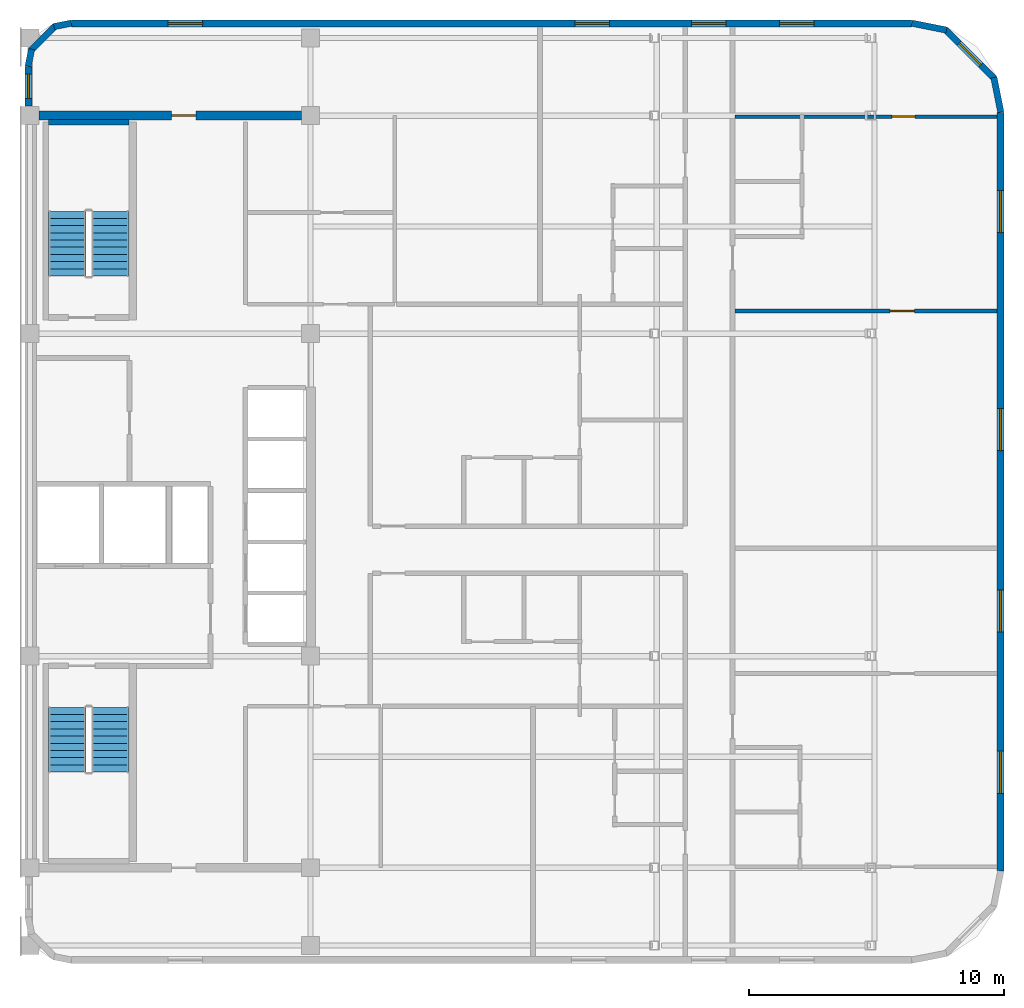
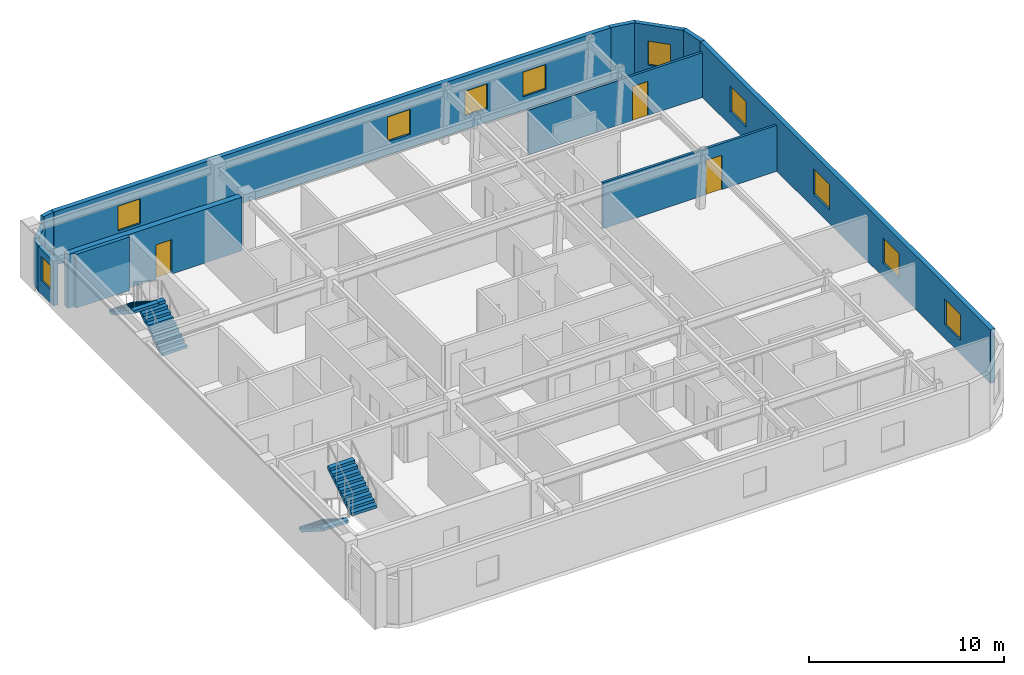
# One storey, part 5 of 6: 13 walls, 10 windows, 4 stair flights, 3 doors, 13 openings, 2 elements without a shape of their own.
"""IFC4 building model written with IfcOpenShell, lengths in metres."""

from ifc_helpers import new_model, si_unit, direction, frame, frame_2d, origin, place, context, subcontext, project, spatial, polyline, rectangle, outline, extrude, material, layer, layer_set, type_object, element, fill, aggregate, save


model = new_model("IFC4")

# Units and contexts
model_context = context("Model", 3, precision=1e-05, world=origin(), true_north=direction((0.0, 1.0)))
body_context = subcontext(model_context, "Body", "Model", "MODEL_VIEW")
ifc_project = project(units=[si_unit("LENGTHUNIT", "METRE"), si_unit("AREAUNIT", "SQUARE_METRE"), si_unit("VOLUMEUNIT", "CUBIC_METRE"), si_unit("PLANEANGLEUNIT", "RADIAN"), si_unit("MASSUNIT", "GRAM", prefix="KILO")], contexts=[model_context])

# Site, building, storey
site_placement = place(None, origin())
site = spatial("IfcSite", under=ifc_project, at=site_placement, CompositionType="ELEMENT")
building_placement = place(site_placement, origin())
building = spatial("IfcBuilding", under=site, at=building_placement, Name="Ochreholt Gables", CompositionType="ELEMENT")
storey_placement = place(building_placement, frame((0.0, 0.0, 249.60009765625)))
storey = spatial("IfcBuildingStorey", under=building, at=storey_placement, Name="L65", CompositionType="ELEMENT", Elevation=249.60009765625)

# Wall, opening, door
ifc_material_1 = material(Name="Concrete 50 MPa", Category="concrete")
ifc_layer_1 = layer(ifc_material_1, 0.35009765625, Name="Concrete 50 MPa")
ifc_layer_set_1 = layer_set([ifc_layer_1], Name="Concrete 50 MPa")
wall_type_1 = type_object("IfcWallType", Name="WALL-CSW-350", PredefinedType="SHEAR", material=ifc_layer_set_1)
wall_1_placement = place(storey_placement, frame((24.550048828125, 38.75, 0.0), z_axis=(0.0, 0.0, 1.0), x_axis=(1.0, 0.0, 0.0)))
wall_1 = element("IfcWall", 1, at=wall_1_placement, inside=storey, type_object=wall_type_1, Name="L65 Core North Shear Wall", PredefinedType="SHEAR", context=body_context, shape_type="SweptSolid", body=[
    extrude(rectangle(XDim=10.300048828125, YDim=0.35009765625, at=frame_2d((5.14990234375, 0.0))), origin(), (0.0, 0.0, 1.0), 3.35986328125),
])
opening_1_placement = place(wall_1_placement, frame((5.199951171875, 0.0, 0.0)))
opening_1 = element("IfcOpeningElement", 2, at=opening_1_placement, cuts=wall_1, Name="Opening D-FL2", PredefinedType="OPENING", context=body_context, shape_type="SweptSolid", body=[
    extrude(rectangle(XDim=0.949951171875, YDim=2.14990234375, at=frame_2d((0.47509765625, 1.074951171875))), frame((0.0, 0.18505859375, 0.0), z_axis=(0.0, -1.0, 0.0), x_axis=(1.0, 0.0, 0.0)), (0.0, 0.0, 1.0), 0.3701171875),
])
ifc_material_2 = material(Name="Hollow Metal Steel", Category="steel")
door_type_1 = type_object("IfcDoorType", Name="DR-INT-FLB950", OperationType="NOTDEFINED", PredefinedType="DOOR", material=ifc_material_2)
door_1_placement = place(opening_1_placement, origin())
door_1 = element("IfcDoor", 3, at=door_1_placement, inside=storey, type_object=door_type_1, Name="L65 Door D-C3NSR-L65", OperationType="SINGLE_SWING_RIGHT", OverallHeight=2.14990234375, OverallWidth=0.949951171875, PredefinedType="DOOR", context=body_context, shape_type="SweptSolid", body=[
    extrude(rectangle(XDim=0.949951171875, YDim=2.14990234375, at=frame_2d((0.47509765625, 1.074951171875))), frame((0.0, 0.02490234375, 0.0), z_axis=(0.0, -1.0, 0.0), x_axis=(1.0, 0.0, 0.0)), (0.0, 0.0, 1.0), 0.050048828125),
])
fill(opening_1, door_1)

# Wall, openings, windows
ifc_material_3 = material(Name="Precast concrete 40 MPa", Category="concrete")
ifc_layer_2 = layer(ifc_material_3, 0.27001953125, Name="Precast concrete 40 MPa")
ifc_layer_set_2 = layer_set([ifc_layer_2], Name="Precast concrete 40 MPa")
wall_type_2 = type_object("IfcWallType", Name="WALL-EXT-270", PredefinedType="SOLIDWALL", material=ifc_layer_set_2)
wall_2_placement = place(storey_placement, frame((62.264892578125, 9.1201171875, 0.0), z_axis=(0.0, 0.0, 1.0), x_axis=(0.0, 1.0, 0.0)))
wall_2 = element("IfcWall", 4, at=wall_2_placement, inside=storey, type_object=wall_type_2, Name="L65 East Exterior Wall", PredefinedType="SOLIDWALL", context=body_context, shape_type="SweptSolid", body=[
    extrude(rectangle(XDim=29.759765625, YDim=0.27001953125, at=frame_2d((14.8798828125, 0.0))), origin(), (0.0, 0.0, 1.0), 3.35986328125),
])
opening_2_placement = place(wall_2_placement, frame((3.04931640625, 0.0, 0.85009765625)))
opening_2 = element("IfcOpeningElement", 5, at=opening_2_placement, cuts=wall_2, Name="Opening WN-7", PredefinedType="OPENING", context=body_context, shape_type="SweptSolid", body=[
    extrude(rectangle(XDim=1.64990234375, YDim=1.60009765625, at=frame_2d((0.824951171875, 0.800048828125))), frame((0.0, 0.14501953125, 0.0), z_axis=(0.0, -1.0, 0.0), x_axis=(1.0, 0.0, 0.0)), (0.0, 0.0, 1.0), 0.2900390625),
])
opening_3_placement = place(wall_2_placement, frame((9.37939453125, 0.0, 0.85009765625)))
opening_3 = element("IfcOpeningElement", 6, at=opening_3_placement, cuts=wall_2, Name="Opening WN-7", PredefinedType="OPENING", context=body_context, shape_type="SweptSolid", body=[
    extrude(rectangle(XDim=1.64990234375, YDim=1.60009765625, at=frame_2d((0.824951171875, 0.800048828125))), frame((0.0, 0.14501953125, 0.0), z_axis=(0.0, -1.0, 0.0), x_axis=(1.0, 0.0, 0.0)), (0.0, 0.0, 1.0), 0.2900390625),
])
opening_4_placement = place(wall_2_placement, frame((16.489990234375, 0.0, 0.85009765625)))
opening_4 = element("IfcOpeningElement", 7, at=opening_4_placement, cuts=wall_2, Name="Opening WN-7", PredefinedType="OPENING", context=body_context, shape_type="SweptSolid", body=[
    extrude(rectangle(XDim=1.64990234375, YDim=1.60009765625, at=frame_2d((0.824951171875, 0.800048828125))), frame((0.0, 0.14501953125, 0.0), z_axis=(0.0, -1.0, 0.0), x_axis=(1.0, 0.0, 0.0)), (0.0, 0.0, 1.0), 0.2900390625),
])
opening_5_placement = place(wall_2_placement, frame((25.0400390625, 0.0, 0.85009765625)))
opening_5 = element("IfcOpeningElement", 8, at=opening_5_placement, cuts=wall_2, Name="Opening WN-7", PredefinedType="OPENING", context=body_context, shape_type="SweptSolid", body=[
    extrude(rectangle(XDim=1.64990234375, YDim=1.60009765625, at=frame_2d((0.824951171875, 0.800048828125))), frame((0.0, 0.14501953125, 0.0), z_axis=(0.0, -1.0, 0.0), x_axis=(1.0, 0.0, 0.0)), (0.0, 0.0, 1.0), 0.2900390625),
])
ifc_material_4 = material(Name="Triple-Glazed Thermally Broken Aluminium Window", Category="aluminium")
window_type_1 = type_object("IfcWindowType", Name="WIN-RES-1650", PartitioningType="SINGLE_PANEL", PredefinedType="WINDOW", material=ifc_material_4)
window_1_placement = place(opening_2_placement, origin())
window_1 = element("IfcWindow", 9, at=window_1_placement, inside=storey, type_object=window_type_1, Name="L65 Window W-EXT-E-L65-1", OverallHeight=1.60009765625, OverallWidth=1.64990234375, PartitioningType="SINGLE_PANEL", PredefinedType="WINDOW", context=body_context, shape_type="SweptSolid", body=[
    extrude(rectangle(XDim=1.64990234375, YDim=1.60009765625, at=frame_2d((0.824951171875, 0.800048828125))), frame((0.0, 0.030029296875, 0.0), z_axis=(0.0, -1.0, 0.0), x_axis=(1.0, 0.0, 0.0)), (0.0, 0.0, 1.0), 0.06005859375),
])
fill(opening_2, window_1)
window_2_placement = place(opening_3_placement, origin())
window_2 = element("IfcWindow", 10, at=window_2_placement, inside=storey, type_object=window_type_1, Name="L65 Window W-EXT-E-L65-2", OverallHeight=1.60009765625, OverallWidth=1.64990234375, PartitioningType="SINGLE_PANEL", PredefinedType="WINDOW", context=body_context, shape_type="SweptSolid", body=[
    extrude(rectangle(XDim=1.64990234375, YDim=1.60009765625, at=frame_2d((0.824951171875, 0.800048828125))), frame((0.0, 0.030029296875, 0.0), z_axis=(0.0, -1.0, 0.0), x_axis=(1.0, 0.0, 0.0)), (0.0, 0.0, 1.0), 0.06005859375),
])
fill(opening_3, window_2)
window_3_placement = place(opening_4_placement, origin())
window_3 = element("IfcWindow", 11, at=window_3_placement, inside=storey, type_object=window_type_1, Name="L65 Window W-EXT-E-L65-3", OverallHeight=1.60009765625, OverallWidth=1.64990234375, PartitioningType="SINGLE_PANEL", PredefinedType="WINDOW", context=body_context, shape_type="SweptSolid", body=[
    extrude(rectangle(XDim=1.64990234375, YDim=1.60009765625, at=frame_2d((0.824951171875, 0.800048828125))), frame((0.0, 0.030029296875, 0.0), z_axis=(0.0, -1.0, 0.0), x_axis=(1.0, 0.0, 0.0)), (0.0, 0.0, 1.0), 0.06005859375),
])
fill(opening_4, window_3)
window_4_placement = place(opening_5_placement, origin())
window_4 = element("IfcWindow", 12, at=window_4_placement, inside=storey, type_object=window_type_1, Name="L65 Window W-EXT-E-L65-4", OverallHeight=1.60009765625, OverallWidth=1.64990234375, PartitioningType="SINGLE_PANEL", PredefinedType="WINDOW", context=body_context, shape_type="SweptSolid", body=[
    extrude(rectangle(XDim=1.64990234375, YDim=1.60009765625, at=frame_2d((0.824951171875, 0.800048828125))), frame((0.0, 0.030029296875, 0.0), z_axis=(0.0, -1.0, 0.0), x_axis=(1.0, 0.0, 0.0)), (0.0, 0.0, 1.0), 0.06005859375),
])
fill(opening_5, window_4)

wall_3_placement = place(storey_placement, frame((58.780029296875, 42.364990234375, 0.0), z_axis=(0.0, 0.0, 1.0), x_axis=(-1.0, 0.0, 0.0)))
wall_3 = element("IfcWall", 13, at=wall_3_placement, inside=storey, type_object=wall_type_2, Name="L65 North Exterior Wall", PredefinedType="SOLIDWALL", context=body_context, shape_type="SweptSolid", body=[
    extrude(rectangle(XDim=32.9599609375, YDim=0.27001953125, at=frame_2d((16.47998046875, 0.0))), origin(), (0.0, 0.0, 1.0), 3.35986328125),
])
opening_6_placement = place(wall_3_placement, frame((27.81494140625, 0.0, 0.85009765625)))
opening_6 = element("IfcOpeningElement", 14, at=opening_6_placement, cuts=wall_3, Name="Opening WN-8", PredefinedType="OPENING", context=body_context, shape_type="SweptSolid", body=[
    extrude(rectangle(XDim=1.35009765625, YDim=1.550048828125, at=frame_2d((0.675048828125, 0.77490234375))), frame((0.0, 0.14501953125, 0.0), z_axis=(0.0, -1.0, 0.0), x_axis=(1.0, 0.0, 0.0)), (0.0, 0.0, 1.0), 0.2900390625),
])
opening_7_placement = place(wall_3_placement, frame((11.857421875, 0.0, 0.85009765625)))
opening_7 = element("IfcOpeningElement", 15, at=opening_7_placement, cuts=wall_3, Name="Opening WN-8", PredefinedType="OPENING", context=body_context, shape_type="SweptSolid", body=[
    extrude(rectangle(XDim=1.35009765625, YDim=1.550048828125, at=frame_2d((0.675048828125, 0.77490234375))), frame((0.0, 0.14501953125, 0.0), z_axis=(0.0, -1.0, 0.0), x_axis=(1.0, 0.0, 0.0)), (0.0, 0.0, 1.0), 0.2900390625),
])
opening_8_placement = place(wall_3_placement, frame((7.280029296875, 0.0, 0.85009765625)))
opening_8 = element("IfcOpeningElement", 16, at=opening_8_placement, cuts=wall_3, Name="Opening WN-8", PredefinedType="OPENING", context=body_context, shape_type="SweptSolid", body=[
    extrude(rectangle(XDim=1.35009765625, YDim=1.550048828125, at=frame_2d((0.675048828125, 0.77490234375))), frame((0.0, 0.14501953125, 0.0), z_axis=(0.0, -1.0, 0.0), x_axis=(1.0, 0.0, 0.0)), (0.0, 0.0, 1.0), 0.2900390625),
])
opening_9_placement = place(wall_3_placement, frame((3.8310546875, 0.0, 0.85009765625)))
opening_9 = element("IfcOpeningElement", 17, at=opening_9_placement, cuts=wall_3, Name="Opening WN-8", PredefinedType="OPENING", context=body_context, shape_type="SweptSolid", body=[
    extrude(rectangle(XDim=1.35009765625, YDim=1.550048828125, at=frame_2d((0.675048828125, 0.77490234375))), frame((0.0, 0.14501953125, 0.0), z_axis=(0.0, -1.0, 0.0), x_axis=(1.0, 0.0, 0.0)), (0.0, 0.0, 1.0), 0.2900390625),
])
window_type_2 = type_object("IfcWindowType", Name="WIN-RES-1350", PartitioningType="SINGLE_PANEL", PredefinedType="WINDOW", material=ifc_material_4)
window_5_placement = place(opening_6_placement, origin())
window_5 = element("IfcWindow", 18, at=window_5_placement, inside=storey, type_object=window_type_2, Name="L65 Window W-EXT-N-L65-1", OverallHeight=1.550048828125, OverallWidth=1.35009765625, PartitioningType="SINGLE_PANEL", PredefinedType="WINDOW", context=body_context, shape_type="SweptSolid", body=[
    extrude(rectangle(XDim=1.35009765625, YDim=1.550048828125, at=frame_2d((0.675048828125, 0.77490234375))), frame((0.0, 0.030029296875, 0.0), z_axis=(0.0, -1.0, 0.0), x_axis=(1.0, 0.0, 0.0)), (0.0, 0.0, 1.0), 0.06005859375),
])
fill(opening_6, window_5)
window_6_placement = place(opening_7_placement, origin())
window_6 = element("IfcWindow", 19, at=window_6_placement, inside=storey, type_object=window_type_2, Name="L65 Window W-EXT-N-L65-2", OverallHeight=1.550048828125, OverallWidth=1.35009765625, PartitioningType="SINGLE_PANEL", PredefinedType="WINDOW", context=body_context, shape_type="SweptSolid", body=[
    extrude(rectangle(XDim=1.35009765625, YDim=1.550048828125, at=frame_2d((0.675048828125, 0.77490234375))), frame((0.0, 0.030029296875, 0.0), z_axis=(0.0, -1.0, 0.0), x_axis=(1.0, 0.0, 0.0)), (0.0, 0.0, 1.0), 0.06005859375),
])
fill(opening_7, window_6)
window_7_placement = place(opening_8_placement, origin())
window_7 = element("IfcWindow", 20, at=window_7_placement, inside=storey, type_object=window_type_2, Name="L65 Window W-EXT-N-L65-3", OverallHeight=1.550048828125, OverallWidth=1.35009765625, PartitioningType="SINGLE_PANEL", PredefinedType="WINDOW", context=body_context, shape_type="SweptSolid", body=[
    extrude(rectangle(XDim=1.35009765625, YDim=1.550048828125, at=frame_2d((0.675048828125, 0.77490234375))), frame((0.0, 0.030029296875, 0.0), z_axis=(0.0, -1.0, 0.0), x_axis=(1.0, 0.0, 0.0)), (0.0, 0.0, 1.0), 0.06005859375),
])
fill(opening_8, window_7)
window_8_placement = place(opening_9_placement, origin())
window_8 = element("IfcWindow", 21, at=window_8_placement, inside=storey, type_object=window_type_2, Name="L65 Window W-EXT-N-L65-4", OverallHeight=1.550048828125, OverallWidth=1.35009765625, PartitioningType="SINGLE_PANEL", PredefinedType="WINDOW", context=body_context, shape_type="SweptSolid", body=[
    extrude(rectangle(XDim=1.35009765625, YDim=1.550048828125, at=frame_2d((0.675048828125, 0.77490234375))), frame((0.0, 0.030029296875, 0.0), z_axis=(0.0, -1.0, 0.0), x_axis=(1.0, 0.0, 0.0)), (0.0, 0.0, 1.0), 0.06005859375),
])
fill(opening_9, window_8)

# Wall, opening, window
wall_4_placement = place(storey_placement, frame((24.135009765625, 39.1201171875, 0.0), z_axis=(0.0, 0.0, 1.0), x_axis=(0.0, 1.0, 0.0)))
wall_4 = element("IfcWall", 22, at=wall_4_placement, inside=storey, type_object=wall_type_2, Name="L65 West Facade North Bay Wall", PredefinedType="SOLIDWALL", context=body_context, shape_type="SweptSolid", body=[
    extrude(rectangle(XDim=1.559814453125, YDim=0.27001953125, at=frame_2d((0.77978515625, 0.0))), origin(), (0.0, 0.0, 1.0), 2.802978515625),
])
opening_10_placement = place(wall_4_placement, frame((0.304931640625, 0.0, 0.85009765625)))
opening_10 = element("IfcOpeningElement", 23, at=opening_10_placement, cuts=wall_4, Name="Opening WN-10", PredefinedType="OPENING", context=body_context, shape_type="SweptSolid", body=[
    extrude(rectangle(XDim=0.949951171875, YDim=1.5, at=frame_2d((0.47509765625, 0.75))), frame((0.0, 0.14501953125, 0.0), z_axis=(0.0, -1.0, 0.0), x_axis=(1.0, 0.0, 0.0)), (0.0, 0.0, 1.0), 0.2900390625),
])
window_type_3 = type_object("IfcWindowType", Name="WIN-RES-950", PartitioningType="SINGLE_PANEL", PredefinedType="WINDOW", material=ifc_material_4)
window_9_placement = place(opening_10_placement, origin())
window_9 = element("IfcWindow", 24, at=window_9_placement, inside=storey, type_object=window_type_3, Name="L65 North Sky Reading West Window", OverallHeight=1.5, OverallWidth=0.949951171875, PartitioningType="SINGLE_PANEL", PredefinedType="WINDOW", context=body_context, shape_type="SweptSolid", body=[
    extrude(rectangle(XDim=0.949951171875, YDim=1.5, at=frame_2d((0.47509765625, 0.75))), frame((0.0, 0.030029296875, 0.0), z_axis=(0.0, -1.0, 0.0), x_axis=(1.0, 0.0, 0.0)), (0.0, 0.0, 1.0), 0.06005859375),
])
fill(opening_10, window_9)

# Wall
ifc_layer_3 = layer(ifc_material_3, 0.25, Name="Precast concrete 40 MPa")
ifc_layer_set_3 = layer_set([ifc_layer_3], Name="Precast concrete 40 MPa")
wall_type_3 = type_object("IfcWallType", Name="WALL-EXT-CNR", PredefinedType="SOLIDWALL", material=ifc_layer_set_3)
wall_5_placement = place(storey_placement, frame((62.27587890625, 38.883544921875, 0.0), z_axis=(0.0, 0.0, 1.0), x_axis=(-0.195135625965, 0.9807762678, 0.0)))
element("IfcWall", 25, at=wall_5_placement, inside=storey, type_object=wall_type_3, Name="L65 Rounded Corner Wall NE-1", PredefinedType="SOLIDWALL", context=body_context, shape_type="SweptSolid", body=[
    extrude(rectangle(XDim=1.388671875, YDim=0.25, at=frame_2d((0.6943359375, 0.0))), origin(), (0.0, 0.0, 1.0), 3.35986328125),
])

# Wall, opening, window
wall_6_placement = place(storey_placement, frame((62.031982421875, 40.195068359375, 0.0), z_axis=(0.0, 0.0, 1.0), x_axis=(-0.707106781187, 0.707106781187, 0.0)))
wall_6 = element("IfcWall", 26, at=wall_6_placement, inside=storey, type_object=wall_type_3, Name="L65 Rounded Corner Wall NE-2", PredefinedType="SOLIDWALL", context=body_context, shape_type="SweptSolid", body=[
    extrude(rectangle(XDim=2.7392578125, YDim=0.25, at=frame_2d((1.36962890625, 0.0))), origin(), (0.0, 0.0, 1.0), 3.35986328125),
])
opening_11_placement = place(wall_6_placement, frame((0.769775390625, 0.0, 0.85009765625)))
opening_11 = element("IfcOpeningElement", 27, at=opening_11_placement, cuts=wall_6, Name="Opening WN-3", PredefinedType="OPENING", context=body_context, shape_type="SweptSolid", body=[
    extrude(rectangle(XDim=1.199951171875, YDim=1.5, at=frame_2d((0.60009765625, 0.75))), frame((0.0, 0.135009765625, 0.0), z_axis=(0.0, -1.0, 0.0), x_axis=(1.0, 0.0, 0.0)), (0.0, 0.0, 1.0), 0.27001953125),
])
window_type_4 = type_object("IfcWindowType", Name="WIN-RES-1200", PartitioningType="SINGLE_PANEL", PredefinedType="WINDOW", material=ifc_material_4)
window_10_placement = place(opening_11_placement, origin())
window_10 = element("IfcWindow", 28, at=window_10_placement, inside=storey, type_object=window_type_4, Name="L65 Corner Bedroom Window NE", OverallHeight=1.5, OverallWidth=1.199951171875, PartitioningType="SINGLE_PANEL", PredefinedType="WINDOW", context=body_context, shape_type="SweptSolid", body=[
    extrude(rectangle(XDim=1.199951171875, YDim=1.5, at=frame_2d((0.60009765625, 0.75))), frame((0.0, 0.030029296875, 0.0), z_axis=(0.0, -1.0, 0.0), x_axis=(1.0, 0.0, 0.0)), (0.0, 0.0, 1.0), 0.06005859375),
])
fill(opening_11, window_10)

# Walls
wall_7_placement = place(storey_placement, frame((60.1455078125, 42.10498046875, 0.0), z_axis=(0.0, 0.0, 1.0), x_axis=(-0.980809899341, 0.19496651342, 0.0)))
element("IfcWall", 29, at=wall_7_placement, inside=storey, type_object=wall_type_3, Name="L65 Rounded Corner Wall NE-3", PredefinedType="SOLIDWALL", context=body_context, shape_type="SweptSolid", body=[
    extrude(rectangle(XDim=1.388671875, YDim=0.25, at=frame_2d((0.6943359375, 0.0))), origin(), (0.0, 0.0, 1.0), 3.35986328125),
])
wall_8_placement = place(storey_placement, frame((25.81640625, 42.375732421875, 0.0), z_axis=(0.0, 0.0, 1.0), x_axis=(-0.980812594069, -0.194952956674, 0.0)))
element("IfcWall", 30, at=wall_8_placement, inside=storey, type_object=wall_type_3, Name="L65 Rounded Corner Wall NW-1", PredefinedType="SOLIDWALL", context=body_context, shape_type="SweptSolid", body=[
    extrude(rectangle(XDim=0.686279296875, YDim=0.25, at=frame_2d((0.34326171875, 0.0))), origin(), (0.0, 0.0, 1.0), 3.35986328125),
])
wall_9_placement = place(storey_placement, frame((25.19384765625, 42.26904296875, 0.0), z_axis=(0.0, 0.0, 1.0), x_axis=(-0.707106781187, -0.707106781187, 0.0)))
element("IfcWall", 31, at=wall_9_placement, inside=storey, type_object=wall_type_3, Name="L65 Rounded Corner Wall NW-2", PredefinedType="SOLIDWALL", context=body_context, shape_type="SweptSolid", body=[
    extrude(rectangle(XDim=1.36181640625, YDim=0.25, at=frame_2d((0.680908203125, 0.0))), origin(), (0.0, 0.0, 1.0), 2.802978515625),
])
wall_10_placement = place(storey_placement, frame((24.258056640625, 41.356689453125, 0.0), z_axis=(0.0, 0.0, 1.0), x_axis=(-0.194952956674, -0.980812594069, 0.0)))
element("IfcWall", 32, at=wall_10_placement, inside=storey, type_object=wall_type_3, Name="L65 Rounded Corner Wall NW-3", PredefinedType="SOLIDWALL", context=body_context, shape_type="SweptSolid", body=[
    extrude(rectangle(XDim=0.686279296875, YDim=0.25, at=frame_2d((0.34326171875, 0.0))), origin(), (0.0, 0.0, 1.0), 2.802978515625),
])

# Wall, opening, door
ifc_material_5 = material(Name="Lightweight Stud Partition", Category="gypsum")
ifc_layer_4 = layer(ifc_material_5, 0.14501953125, Name="Lightweight Stud Partition")
ifc_layer_set_4 = layer_set([ifc_layer_4], Name="Lightweight Stud Partition")
wall_type_4 = type_object("IfcWallType", Name="WALL-INT-PT145", PredefinedType="PARTITIONING", material=ifc_layer_set_4)
wall_11_placement = place(storey_placement, frame((51.840087890625, 38.7099609375, 0.0), z_axis=(0.0, 0.0, 1.0), x_axis=(1.0, 0.0, 0.0)))
wall_11 = element("IfcWall", 33, at=wall_11_placement, inside=storey, type_object=wall_type_4, Name="L65 Interior Wall WU-L65E2-MN", PredefinedType="PARTITIONING", context=body_context, shape_type="SweptSolid", body=[
    extrude(rectangle(XDim=10.289794921875, YDim=0.14501953125, at=frame_2d((5.14501953125, 0.0))), origin(), (0.0, 0.0, 1.0), 2.802978515625),
])
opening_12_placement = place(wall_11_placement, frame((6.160888671875, 0.0, 0.0)))
opening_12 = element("IfcOpeningElement", 34, at=opening_12_placement, cuts=wall_11, Name="Opening D-BD1", PredefinedType="OPENING", context=body_context, shape_type="SweptSolid", body=[
    extrude(rectangle(XDim=0.89990234375, YDim=2.139892578125, at=frame_2d((0.449951171875, 1.06982421875))), frame((0.0, 0.08251953125, 0.0), z_axis=(0.0, -1.0, 0.0), x_axis=(1.0, 0.0, 0.0)), (0.0, 0.0, 1.0), 0.1650390625),
])
ifc_material_6 = material(Name="Engineered Oak Timber", Category="wood")
door_type_2 = type_object("IfcDoorType", Name="DR-INT-BED900", OperationType="NOTDEFINED", PredefinedType="DOOR", material=ifc_material_6)
door_2_placement = place(opening_12_placement, origin())
door_2 = element("IfcDoor", 35, at=door_2_placement, inside=storey, type_object=door_type_2, Name="L65 Door D-U-L65E2-BD1", OperationType="SINGLE_SWING_RIGHT", OverallHeight=2.139892578125, OverallWidth=0.89990234375, PredefinedType="DOOR", context=body_context, shape_type="SweptSolid", body=[
    extrude(rectangle(XDim=0.89990234375, YDim=2.139892578125, at=frame_2d((0.449951171875, 1.06982421875))), frame((0.0, 0.02490234375, 0.0), z_axis=(0.0, -1.0, 0.0), x_axis=(1.0, 0.0, 0.0)), (0.0, 0.0, 1.0), 0.050048828125),
])
fill(opening_12, door_2)

wall_12_placement = place(storey_placement, frame((51.840087890625, 31.08984375, 0.0), z_axis=(0.0, 0.0, 1.0), x_axis=(1.0, 0.0, 0.0)))
wall_12 = element("IfcWall", 36, at=wall_12_placement, inside=storey, type_object=wall_type_4, Name="L65 Interior Wall WU-L65E2-DNW", PredefinedType="PARTITIONING", context=body_context, shape_type="SweptSolid", body=[
    extrude(rectangle(XDim=10.289794921875, YDim=0.14501953125, at=frame_2d((5.14501953125, 0.0))), origin(), (0.0, 0.0, 1.0), 2.87890625),
])
opening_13_placement = place(wall_12_placement, frame((6.094970703125, 0.0, 0.0)))
opening_13 = element("IfcOpeningElement", 37, at=opening_13_placement, cuts=wall_12, Name="Opening D-GN1", PredefinedType="OPENING", context=body_context, shape_type="SweptSolid", body=[
    extrude(rectangle(XDim=0.949951171875, YDim=2.14990234375, at=frame_2d((0.47509765625, 1.074951171875))), frame((0.0, 0.08251953125, 0.0), z_axis=(0.0, -1.0, 0.0), x_axis=(1.0, 0.0, 0.0)), (0.0, 0.0, 1.0), 0.1650390625),
])
door_type_3 = type_object("IfcDoorType", Name="DR-INT-GEN950", OperationType="NOTDEFINED", PredefinedType="DOOR", material=ifc_material_6)
door_3_placement = place(opening_13_placement, origin())
door_3 = element("IfcDoor", 38, at=door_3_placement, inside=storey, type_object=door_type_3, Name="L65 Door D-U-L65E2-DIN", OperationType="SINGLE_SWING_RIGHT", OverallHeight=2.14990234375, OverallWidth=0.949951171875, PredefinedType="DOOR", context=body_context, shape_type="SweptSolid", body=[
    extrude(rectangle(XDim=0.949951171875, YDim=2.14990234375, at=frame_2d((0.47509765625, 1.074951171875))), frame((0.0, 0.02490234375, 0.0), z_axis=(0.0, -1.0, 0.0), x_axis=(1.0, 0.0, 0.0)), (0.0, 0.0, 1.0), 0.050048828125),
])
fill(opening_13, door_3)

# Wall
ifc_layer_5 = layer(ifc_material_1, 0.219970703125, Name="Concrete 50 MPa")
ifc_layer_set_5 = layer_set([ifc_layer_5], Name="Concrete 50 MPa")
wall_type_5 = type_object("IfcWallType", Name="WALL-STW-220", PredefinedType="SHEAR", material=ifc_layer_set_5)
wall_13_placement = place(storey_placement, frame((24.919921875, 38.489990234375, 0.0), z_axis=(0.0, 0.0, 1.0), x_axis=(1.0, 0.0, 0.0)))
element("IfcWall", 39, at=wall_13_placement, inside=storey, type_object=wall_type_5, Name="L65 Exit Stair 2 North Wall", PredefinedType="SHEAR", context=body_context, shape_type="SweptSolid", body=[
    extrude(rectangle(XDim=3.16015625, YDim=0.219970703125, at=frame_2d((1.580078125, 0.0))), origin(), (0.0, 0.0, 1.0), 3.35986328125),
])

# Stair, stair flights
ifc_material_7 = material(Name="Concrete 40 MPa", Category="concrete")
stair_type_1 = type_object("IfcStairType", Name="STAIR-CORE-ST-1", PredefinedType="HALF_TURN_STAIR", material=ifc_material_7)
stair_1_placement = place(storey_placement, origin())
stair_1 = element("IfcStair", 40, at=stair_1_placement, inside=storey, type_object=stair_type_1, Name="L65 Core Exit Stair 1", PredefinedType="HALF_TURN_STAIR")
stair_flight_type = type_object("IfcStairFlightType", Name="FLIGHT-ST-1480-1800", PredefinedType="STRAIGHT", material=ifc_material_7)
stair_flight_1_placement = place(storey_placement, frame((25.659912109375, 15.5400390625, 0.0), z_axis=(0.0, 0.0, 1.0), x_axis=(0.0, -1.0, 0.0)))
stair_flight_1 = element("IfcStairFlight", 41, at=stair_flight_1_placement, type_object=stair_flight_type, Name="ST-1 flight 1", NumberOfRisers=10, NumberOfTreads=9, PredefinedType="STRAIGHT", RiserHeight=0.18, TreadLength=0.282, context=body_context, shape_type="SweptSolid", body=[
    extrude(outline(polyline([(0.0, 0.0), (0.0, 0.179931640625), (0.281982421875, 0.179931640625), (0.281982421875, 0.360107421875), (0.56396484375, 0.360107421875), (0.56396484375, 0.5400390625), (0.845947265625, 0.5400390625), (0.845947265625, 0.719970703125), (1.1279296875, 0.719970703125), (1.1279296875, 0.89990234375), (1.409912109375, 0.89990234375), (1.409912109375, 1.080078125), (1.69189453125, 1.080078125), (1.69189453125, 1.260009765625), (1.97412109375, 1.260009765625), (1.97412109375, 1.43994140625), (2.256103515625, 1.43994140625), (2.256103515625, 1.6201171875), (2.5380859375, 1.6201171875), (2.5380859375, 1.800048828125), (2.5380859375, 1.442138671875), (0.278564453125, 0.0), (0.0, 0.0)])), frame((0.0, 0.739990234375, 0.0), z_axis=(0.0, -1.0, 0.0), x_axis=(1.0, 0.0, 0.0)), (0.0, 0.0, 1.0), 1.47998046875),
])
stair_flight_2_placement = place(storey_placement, frame((27.340087890625, 13.001953125, 1.7998046875), z_axis=(0.0, 0.0, 1.0), x_axis=(0.0, 1.0, 0.0)))
stair_flight_2 = element("IfcStairFlight", 42, at=stair_flight_2_placement, type_object=stair_flight_type, Name="ST-1 flight 2", NumberOfRisers=10, NumberOfTreads=9, PredefinedType="STRAIGHT", RiserHeight=0.18, TreadLength=0.282, context=body_context, shape_type="SweptSolid", body=[
    extrude(outline(polyline([(0.0, 0.0), (0.0, 0.179931640625), (0.281982421875, 0.179931640625), (0.281982421875, 0.360107421875), (0.56396484375, 0.360107421875), (0.56396484375, 0.5400390625), (0.845947265625, 0.5400390625), (0.845947265625, 0.719970703125), (1.1279296875, 0.719970703125), (1.1279296875, 0.89990234375), (1.409912109375, 0.89990234375), (1.409912109375, 1.080078125), (1.69189453125, 1.080078125), (1.69189453125, 1.260009765625), (1.97412109375, 1.260009765625), (1.97412109375, 1.43994140625), (2.256103515625, 1.43994140625), (2.256103515625, 1.6201171875), (2.5380859375, 1.6201171875), (2.5380859375, 1.800048828125), (2.5380859375, 1.442138671875), (0.278564453125, 0.0), (0.0, 0.0)])), frame((0.0, 0.739990234375, 0.0), z_axis=(0.0, -1.0, 0.0), x_axis=(1.0, 0.0, 0.0)), (0.0, 0.0, 1.0), 1.47998046875),
])
aggregate(stair_1, [stair_flight_1, stair_flight_2])

stair_type_2 = type_object("IfcStairType", Name="STAIR-CORE-ST-2", PredefinedType="HALF_TURN_STAIR", material=ifc_material_7)
stair_2_placement = place(storey_placement, origin())
stair_2 = element("IfcStair", 43, at=stair_2_placement, inside=storey, type_object=stair_type_2, Name="L65 Core Exit Stair 2", PredefinedType="HALF_TURN_STAIR")
stair_flight_3_placement = place(storey_placement, frame((27.340087890625, 32.4599609375, 0.0), z_axis=(0.0, 0.0, 1.0), x_axis=(0.0, 1.0, 0.0)))
stair_flight_3 = element("IfcStairFlight", 44, at=stair_flight_3_placement, type_object=stair_flight_type, Name="ST-2 flight 1", NumberOfRisers=10, NumberOfTreads=9, PredefinedType="STRAIGHT", RiserHeight=0.18, TreadLength=0.282, context=body_context, shape_type="SweptSolid", body=[
    extrude(outline(polyline([(0.0, 0.0), (0.0, 0.179931640625), (0.281982421875, 0.179931640625), (0.281982421875, 0.360107421875), (0.56396484375, 0.360107421875), (0.56396484375, 0.5400390625), (0.845947265625, 0.5400390625), (0.845947265625, 0.719970703125), (1.1279296875, 0.719970703125), (1.1279296875, 0.89990234375), (1.409912109375, 0.89990234375), (1.409912109375, 1.080078125), (1.69189453125, 1.080078125), (1.69189453125, 1.260009765625), (1.97412109375, 1.260009765625), (1.97412109375, 1.43994140625), (2.256103515625, 1.43994140625), (2.256103515625, 1.6201171875), (2.5380859375, 1.6201171875), (2.5380859375, 1.800048828125), (2.5380859375, 1.442138671875), (0.278564453125, 0.0), (0.0, 0.0)])), frame((0.0, 0.739990234375, 0.0), z_axis=(0.0, -1.0, 0.0), x_axis=(1.0, 0.0, 0.0)), (0.0, 0.0, 1.0), 1.47998046875),
])
stair_flight_4_placement = place(storey_placement, frame((25.659912109375, 34.998046875, 1.7998046875), z_axis=(0.0, 0.0, 1.0), x_axis=(0.0, -1.0, 0.0)))
stair_flight_4 = element("IfcStairFlight", 45, at=stair_flight_4_placement, type_object=stair_flight_type, Name="ST-2 flight 2", NumberOfRisers=10, NumberOfTreads=9, PredefinedType="STRAIGHT", RiserHeight=0.18, TreadLength=0.282, context=body_context, shape_type="SweptSolid", body=[
    extrude(outline(polyline([(0.0, 0.0), (0.0, 0.179931640625), (0.281982421875, 0.179931640625), (0.281982421875, 0.360107421875), (0.56396484375, 0.360107421875), (0.56396484375, 0.5400390625), (0.845947265625, 0.5400390625), (0.845947265625, 0.719970703125), (1.1279296875, 0.719970703125), (1.1279296875, 0.89990234375), (1.409912109375, 0.89990234375), (1.409912109375, 1.080078125), (1.69189453125, 1.080078125), (1.69189453125, 1.260009765625), (1.97412109375, 1.260009765625), (1.97412109375, 1.43994140625), (2.256103515625, 1.43994140625), (2.256103515625, 1.6201171875), (2.5380859375, 1.6201171875), (2.5380859375, 1.800048828125), (2.5380859375, 1.442138671875), (0.278564453125, 0.0), (0.0, 0.0)])), frame((0.0, 0.739990234375, 0.0), z_axis=(0.0, -1.0, 0.0), x_axis=(1.0, 0.0, 0.0)), (0.0, 0.0, 1.0), 1.47998046875),
])
aggregate(stair_2, [stair_flight_3, stair_flight_4])

save(model, "model.ifc")
